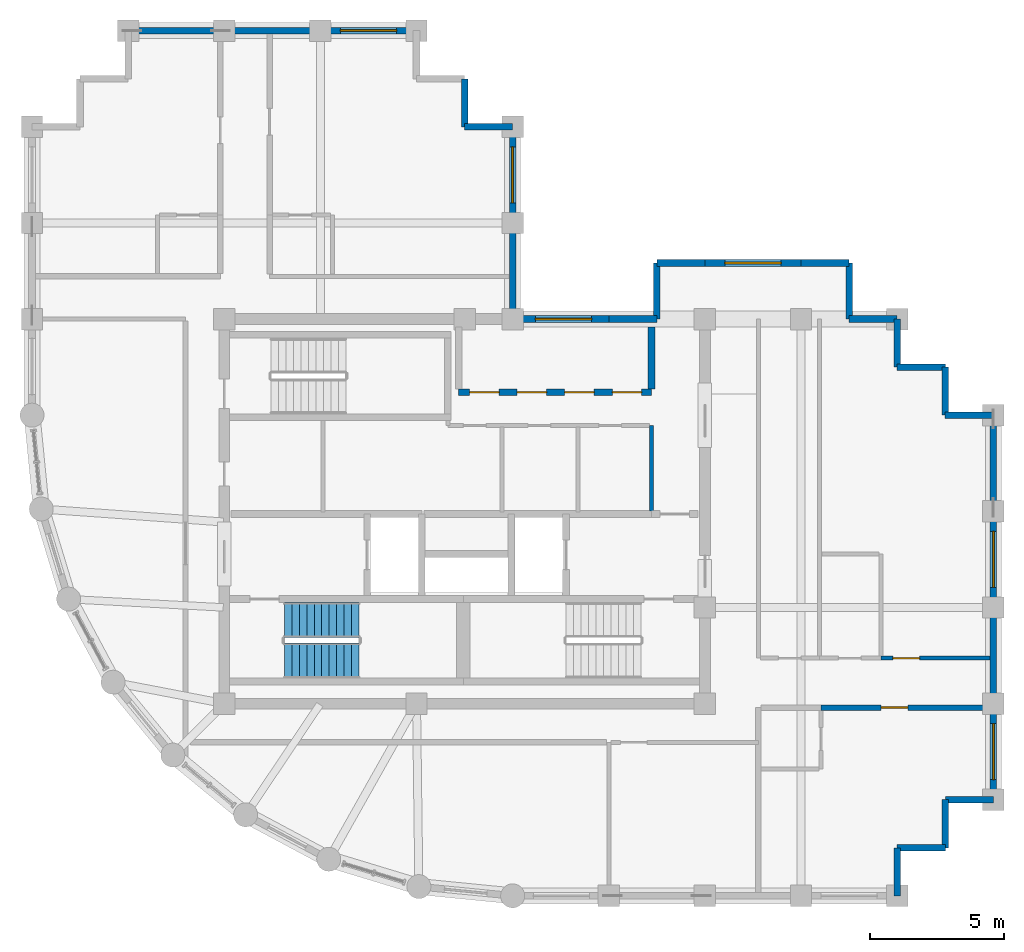
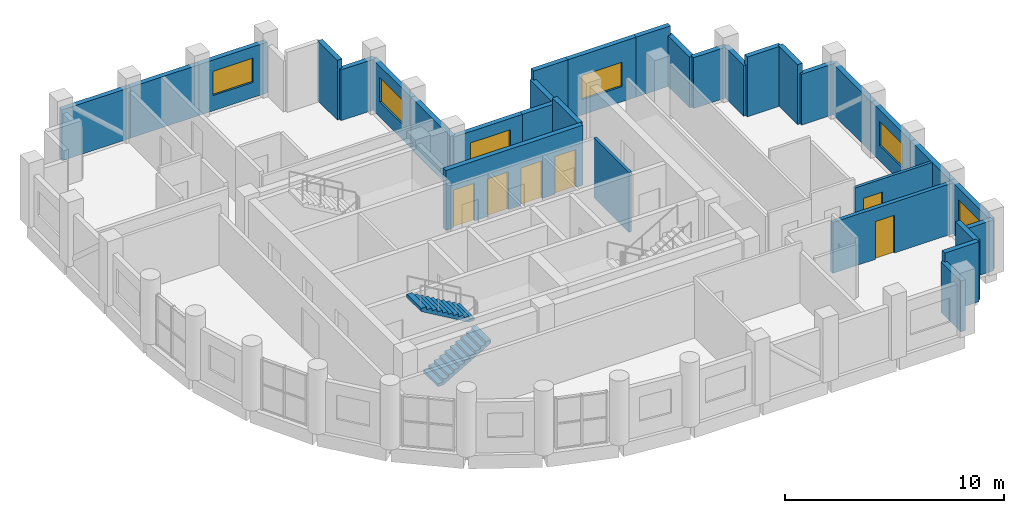
# One storey, part 9 of 11: 32 walls, 6 doors, 6 windows, 2 stair flights, 12 openings, 1 element without a shape of its own.
"""IFC4 building model written with IfcOpenShell, lengths in metres."""

from ifc_helpers import new_model, si_unit, direction, frame, frame_2d, origin, place, context, subcontext, project, spatial, polyline, rectangle, outline, extrude, material, layer, layer_set, type_object, element, fill, aggregate, save


model = new_model("IFC4")

# Units and contexts
model_context = context("Model", 3, precision=1e-05, world=origin(), true_north=direction((0.0, 1.0)))
body_context = subcontext(model_context, "Body", "Model", "MODEL_VIEW")
ifc_project = project(units=[si_unit("LENGTHUNIT", "METRE"), si_unit("AREAUNIT", "SQUARE_METRE"), si_unit("VOLUMEUNIT", "CUBIC_METRE"), si_unit("PLANEANGLEUNIT", "RADIAN"), si_unit("MASSUNIT", "GRAM", prefix="KILO")], contexts=[model_context])

# Site, building, storey
site_placement = place(None, origin())
site = spatial("IfcSite", under=ifc_project, at=site_placement, CompositionType="ELEMENT")
building_placement = place(site_placement, origin())
building = spatial("IfcBuilding", under=site, at=building_placement, Name="Solnavia Interchange Tower", CompositionType="ELEMENT")
storey_placement = place(building_placement, frame((0.0, 0.0, 284.60009765625)))
storey = spatial("IfcBuildingStorey", under=building, at=storey_placement, Name="L72", CompositionType="ELEMENT", Elevation=284.60009765625)

# Wall, opening, door
ifc_material_1 = material(Name="Gypsum Acoustic Twin-Stud & Mineral Wool", Category="gypsum")
ifc_layer_1 = layer(ifc_material_1, 0.199951171875)
ifc_layer_set_1 = layer_set([ifc_layer_1], Name="Gypsum Acoustic Twin-Stud & Mineral Wool")
wall_type_1 = type_object("IfcWallType", Name="Wall-ApartmentParty-200", PredefinedType="PARTITIONING", material=ifc_layer_set_1)
wall_1_placement = place(storey_placement, frame((36.75, 10.64990234375, 0.0), z_axis=(0.0, 0.0, 1.0), x_axis=(1.0, 0.0, 0.0)))
wall_1 = element("IfcWall", 1, at=wall_1_placement, inside=storey, type_object=wall_type_1, Name="PTW-L72-14 Interior partition wall", PredefinedType="PARTITIONING", context=body_context, shape_type="SweptSolid", body=[
    extrude(rectangle(XDim=6.321044921875, YDim=0.199951171875, at=frame_2d((3.16064453125, 0.0))), origin(), (0.0, 0.0, 1.0), 2.829833984375),
])
opening_1_placement = place(wall_1_placement, frame((2.251953125, 0.0, 0.0)))
opening_1 = element("IfcOpeningElement", 2, at=opening_1_placement, cuts=wall_1, Name="Opening DR-06", PredefinedType="OPENING", context=body_context, shape_type="SweptSolid", body=[
    extrude(rectangle(XDim=1.0, YDim=2.10009765625, at=frame_2d((0.5, 1.050048828125))), frame((0.0, 0.10986328125, 0.0), z_axis=(0.0, -1.0, 0.0), x_axis=(1.0, 0.0, 0.0)), (0.0, 0.0, 1.0), 0.219970703125),
])
ifc_material_2 = material(Name="Engineered Timber Acoustic Fire Door", Category="wood")
door_type_1 = type_object("IfcDoorType", Name="Door-FlatEntry-1000x2100", OperationType="SINGLE_SWING_LEFT", PredefinedType="DOOR", material=ifc_material_2)
door_1_placement = place(opening_1_placement, origin())
door_1 = element("IfcDoor", 3, at=door_1_placement, inside=storey, type_object=door_type_1, Name="DR-L72-05 Interior room door", OperationType="SINGLE_SWING_LEFT", OverallHeight=2.10009765625, OverallWidth=1.0, PredefinedType="DOOR", context=body_context, shape_type="SweptSolid", body=[
    extrude(rectangle(XDim=1.0, YDim=2.10009765625, at=frame_2d((0.5, 1.050048828125))), frame((0.0, 0.02490234375, 0.0), z_axis=(0.0, -1.0, 0.0), x_axis=(1.0, 0.0, 0.0)), (0.0, 0.0, 1.0), 0.050048828125),
])
fill(opening_1, door_1)

# Walls
ifc_material_3 = material(Name="Concrete C40/50", Category="concrete")
ifc_layer_2 = layer(ifc_material_3, 0.25)
ifc_layer_set_2 = layer_set([ifc_layer_2], Name="Concrete C40/50")
wall_type_2 = type_object("IfcWallType", Name="Wall-ExtSpandrel-250", PredefinedType="STANDARD", material=ifc_layer_set_2)
wall_2_placement = place(storey_placement, frame((39.60009765625, 5.39990234375, 0.0), z_axis=(0.0, 0.0, 1.0), x_axis=(0.0, -1.0, 0.0)))
element("IfcWall", 4, at=wall_2_placement, inside=storey, type_object=wall_type_2, Name="EXW-L72-05 Exterior precast spandrel wall", PredefinedType="STANDARD", context=body_context, shape_type="SweptSolid", body=[
    extrude(rectangle(XDim=1.7998046875, YDim=0.25, at=frame_2d((0.89990234375, 0.0))), origin(), (0.0, 0.0, 1.0), 2.829833984375),
])
wall_3_placement = place(storey_placement, frame((41.39990234375, 5.39990234375, 0.0), z_axis=(0.0, 0.0, 1.0), x_axis=(-1.0, 0.0, 0.0)))
element("IfcWall", 5, at=wall_3_placement, inside=storey, type_object=wall_type_2, Name="EXW-L72-06 Exterior precast spandrel wall", PredefinedType="STANDARD", context=body_context, shape_type="SweptSolid", body=[
    extrude(rectangle(XDim=1.7998046875, YDim=0.25, at=frame_2d((0.89990234375, 0.0))), origin(), (0.0, 0.0, 1.0), 3.3349609375),
])
wall_4_placement = place(storey_placement, frame((41.39990234375, 7.199951171875, 0.0), z_axis=(0.0, 0.0, 1.0), x_axis=(0.0, -1.0, 0.0)))
element("IfcWall", 6, at=wall_4_placement, inside=storey, type_object=wall_type_2, Name="EXW-L72-07 Exterior precast spandrel wall", PredefinedType="STANDARD", context=body_context, shape_type="SweptSolid", body=[
    extrude(rectangle(XDim=1.800048828125, YDim=0.25, at=frame_2d((0.89990234375, 0.0))), origin(), (0.0, 0.0, 1.0), 3.3349609375),
])
wall_5_placement = place(storey_placement, frame((43.199951171875, 7.199951171875, 0.0), z_axis=(0.0, 0.0, 1.0), x_axis=(-1.0, 0.0, 0.0)))
element("IfcWall", 7, at=wall_5_placement, inside=storey, type_object=wall_type_2, Name="EXW-L72-08 Exterior precast spandrel wall", PredefinedType="STANDARD", context=body_context, shape_type="SweptSolid", body=[
    extrude(rectangle(XDim=1.800048828125, YDim=0.25, at=frame_2d((0.89990234375, 0.0))), origin(), (0.0, 0.0, 1.0), 2.829833984375),
])

# Wall, opening, window
wall_6_placement = place(storey_placement, frame((43.199951171875, 10.800048828125, 0.0), z_axis=(0.0, 0.0, 1.0), x_axis=(0.0, -1.0, 0.0)))
wall_6 = element("IfcWall", 8, at=wall_6_placement, inside=storey, type_object=wall_type_2, Name="EXW-L72-09 Exterior precast spandrel wall", PredefinedType="STANDARD", context=body_context, shape_type="SweptSolid", body=[
    extrude(rectangle(XDim=3.60009765625, YDim=0.25, at=frame_2d((1.800048828125, 0.0))), origin(), (0.0, 0.0, 1.0), 2.829833984375),
])
opening_2_placement = place(wall_6_placement, frame((0.75, 0.0, 0.85009765625)))
opening_2 = element("IfcOpeningElement", 9, at=opening_2_placement, cuts=wall_6, Name="Opening WIN-01", PredefinedType="OPENING", context=body_context, shape_type="SweptSolid", body=[
    extrude(rectangle(XDim=2.10009765625, YDim=1.35009765625, at=frame_2d((1.050048828125, 0.675048828125))), frame((0.0, 0.135009765625, 0.0), z_axis=(0.0, -1.0, 0.0), x_axis=(1.0, 0.0, 0.0)), (0.0, 0.0, 1.0), 0.27001953125),
])
ifc_material_4 = material(Name="Thermal-Break Aluminium & Low-E Glass", Category="aluminium")
window_type = type_object("IfcWindowType", Name="Window-Ribbon-2100x1350", PartitioningType="SINGLE_PANEL", PredefinedType="WINDOW", material=ifc_material_4)
window_1_placement = place(opening_2_placement, origin())
window_1 = element("IfcWindow", 10, at=window_1_placement, inside=storey, type_object=window_type, Name="WIN-L72-09 Facade ribbon window", OverallHeight=1.35009765625, OverallWidth=2.10009765625, PartitioningType="SINGLE_PANEL", PredefinedType="WINDOW", context=body_context, shape_type="SweptSolid", body=[
    extrude(rectangle(XDim=2.10009765625, YDim=1.35009765625, at=frame_2d((1.050048828125, 0.675048828125))), frame((0.0, 0.030029296875, 0.0), z_axis=(0.0, -1.0, 0.0), x_axis=(1.0, 0.0, 0.0)), (0.0, 0.0, 1.0), 0.06005859375),
])
fill(opening_2, window_1)

# Wall
wall_7_placement = place(storey_placement, frame((43.199951171875, 14.39990234375, 0.0), z_axis=(0.0, 0.0, 1.0), x_axis=(0.0, -1.0, 0.0)))
element("IfcWall", 11, at=wall_7_placement, inside=storey, type_object=wall_type_2, Name="EXW-L72-10 Exterior precast spandrel wall", PredefinedType="STANDARD", context=body_context, shape_type="SweptSolid", body=[
    extrude(rectangle(XDim=3.599853515625, YDim=0.25, at=frame_2d((1.7998046875, 0.0))), origin(), (0.0, 0.0, 1.0), 2.829833984375),
])

# Wall, opening, window
wall_8_placement = place(storey_placement, frame((43.199951171875, 18.0, 0.0), z_axis=(0.0, 0.0, 1.0), x_axis=(0.0, -1.0, 0.0)))
wall_8 = element("IfcWall", 12, at=wall_8_placement, inside=storey, type_object=wall_type_2, Name="EXW-L72-11 Exterior precast spandrel wall", PredefinedType="STANDARD", context=body_context, shape_type="SweptSolid", body=[
    extrude(rectangle(XDim=3.60009765625, YDim=0.25, at=frame_2d((1.800048828125, 0.0))), origin(), (0.0, 0.0, 1.0), 2.829833984375),
])
opening_3_placement = place(wall_8_placement, frame((0.75, 0.0, 0.85009765625)))
opening_3 = element("IfcOpeningElement", 13, at=opening_3_placement, cuts=wall_8, Name="Opening WIN-01", PredefinedType="OPENING", context=body_context, shape_type="SweptSolid", body=[
    extrude(rectangle(XDim=2.10009765625, YDim=1.35009765625, at=frame_2d((1.050048828125, 0.675048828125))), frame((0.0, 0.135009765625, 0.0), z_axis=(0.0, -1.0, 0.0), x_axis=(1.0, 0.0, 0.0)), (0.0, 0.0, 1.0), 0.27001953125),
])
window_2_placement = place(opening_3_placement, origin())
window_2 = element("IfcWindow", 14, at=window_2_placement, inside=storey, type_object=window_type, Name="WIN-L72-11 Facade ribbon window", OverallHeight=1.35009765625, OverallWidth=2.10009765625, PartitioningType="SINGLE_PANEL", PredefinedType="WINDOW", context=body_context, shape_type="SweptSolid", body=[
    extrude(rectangle(XDim=2.10009765625, YDim=1.35009765625, at=frame_2d((1.050048828125, 0.675048828125))), frame((0.0, 0.030029296875, 0.0), z_axis=(0.0, -1.0, 0.0), x_axis=(1.0, 0.0, 0.0)), (0.0, 0.0, 1.0), 0.06005859375),
])
fill(opening_3, window_2)

# Walls
wall_9_placement = place(storey_placement, frame((43.199951171875, 21.60009765625, 0.0), z_axis=(0.0, 0.0, 1.0), x_axis=(0.0, -1.0, 0.0)))
element("IfcWall", 15, at=wall_9_placement, inside=storey, type_object=wall_type_2, Name="EXW-L72-12 Exterior precast spandrel wall", PredefinedType="STANDARD", context=body_context, shape_type="SweptSolid", body=[
    extrude(rectangle(XDim=3.60009765625, YDim=0.25, at=frame_2d((1.800048828125, 0.0))), origin(), (0.0, 0.0, 1.0), 2.829833984375),
])
wall_10_placement = place(storey_placement, frame((41.39990234375, 21.60009765625, 0.0), z_axis=(0.0, 0.0, 1.0), x_axis=(1.0, 0.0, 0.0)))
element("IfcWall", 16, at=wall_10_placement, inside=storey, type_object=wall_type_2, Name="EXW-L72-13 Exterior precast spandrel wall", PredefinedType="STANDARD", context=body_context, shape_type="SweptSolid", body=[
    extrude(rectangle(XDim=1.800048828125, YDim=0.25, at=frame_2d((0.89990234375, 0.0))), origin(), (0.0, 0.0, 1.0), 2.829833984375),
])
for number, where, z_axis, x_axis, name in (
    (17, (41.39990234375, 23.39990234375, 0.0), (0.0, 0.0, 1.0), (0.0, -1.0, 0.0), "EXW-L72-14 Exterior precast spandrel wall"),
    (18, (39.60009765625, 23.39990234375, 0.0), (0.0, 0.0, 1.0), (1.0, 0.0, 0.0), "EXW-L72-15 Exterior precast spandrel wall"),
):
    element("IfcWall", number, at=place(storey_placement, frame(where, z_axis=z_axis, x_axis=x_axis)), inside=storey, type_object=wall_type_2, Name=name, PredefinedType="STANDARD", context=body_context, shape_type="SweptSolid", body=[
        extrude(rectangle(XDim=1.7998046875, YDim=0.25, at=frame_2d((0.89990234375, 0.0))), origin(), (0.0, 0.0, 1.0), 3.3349609375),
    ])
for number, where, z_axis, x_axis, name in (
    (19, (39.60009765625, 25.199951171875, 0.0), (0.0, 0.0, 1.0), (0.0, -1.0, 0.0), "EXW-L72-16 Exterior precast spandrel wall"),
    (20, (37.800048828125, 25.199951171875, 0.0), (0.0, 0.0, 1.0), (1.0, 0.0, 0.0), "EXW-L72-17 Exterior precast spandrel wall"),
):
    element("IfcWall", number, at=place(storey_placement, frame(where, z_axis=z_axis, x_axis=x_axis)), inside=storey, type_object=wall_type_2, Name=name, PredefinedType="STANDARD", context=body_context, shape_type="SweptSolid", body=[
        extrude(rectangle(XDim=1.800048828125, YDim=0.25, at=frame_2d((0.89990234375, 0.0))), origin(), (0.0, 0.0, 1.0), 2.829833984375),
    ])
wall_11_placement = place(storey_placement, frame((37.800048828125, 27.300048828125, 0.0), z_axis=(0.0, 0.0, 1.0), x_axis=(0.0, -1.0, 0.0)))
element("IfcWall", 21, at=wall_11_placement, inside=storey, type_object=wall_type_2, Name="EXW-L72-18 Exterior precast spandrel wall", PredefinedType="STANDARD", context=body_context, shape_type="SweptSolid", body=[
    extrude(rectangle(XDim=2.10009765625, YDim=0.25, at=frame_2d((1.050048828125, 0.0))), origin(), (0.0, 0.0, 1.0), 2.829833984375),
])
wall_12_placement = place(storey_placement, frame((36.0, 27.300048828125, 0.0), z_axis=(0.0, 0.0, 1.0), x_axis=(1.0, 0.0, 0.0)))
element("IfcWall", 22, at=wall_12_placement, inside=storey, type_object=wall_type_2, Name="EXW-L72-19 Exterior precast spandrel wall", PredefinedType="STANDARD", context=body_context, shape_type="SweptSolid", body=[
    extrude(rectangle(XDim=1.800048828125, YDim=0.25, at=frame_2d((0.89990234375, 0.0))), origin(), (0.0, 0.0, 1.0), 3.3349609375),
])

# Wall, opening, window
wall_13_placement = place(storey_placement, frame((32.39990234375, 27.300048828125, 0.0), z_axis=(0.0, 0.0, 1.0), x_axis=(1.0, 0.0, 0.0)))
wall_13 = element("IfcWall", 23, at=wall_13_placement, inside=storey, type_object=wall_type_2, Name="EXW-L72-20 Exterior precast spandrel wall", PredefinedType="STANDARD", context=body_context, shape_type="SweptSolid", body=[
    extrude(rectangle(XDim=3.60009765625, YDim=0.25, at=frame_2d((1.800048828125, 0.0))), origin(), (0.0, 0.0, 1.0), 3.3349609375),
])
opening_4_placement = place(wall_13_placement, frame((0.75, 0.0, 0.85009765625)))
opening_4 = element("IfcOpeningElement", 24, at=opening_4_placement, cuts=wall_13, Name="Opening WIN-01", PredefinedType="OPENING", context=body_context, shape_type="SweptSolid", body=[
    extrude(rectangle(XDim=2.10009765625, YDim=1.35009765625, at=frame_2d((1.050048828125, 0.675048828125))), frame((0.0, 0.135009765625, 0.0), z_axis=(0.0, -1.0, 0.0), x_axis=(1.0, 0.0, 0.0)), (0.0, 0.0, 1.0), 0.27001953125),
])
window_3_placement = place(opening_4_placement, origin())
window_3 = element("IfcWindow", 25, at=window_3_placement, inside=storey, type_object=window_type, Name="WIN-L72-20 Facade ribbon window", OverallHeight=1.35009765625, OverallWidth=2.10009765625, PartitioningType="SINGLE_PANEL", PredefinedType="WINDOW", context=body_context, shape_type="SweptSolid", body=[
    extrude(rectangle(XDim=2.10009765625, YDim=1.35009765625, at=frame_2d((1.050048828125, 0.675048828125))), frame((0.0, 0.030029296875, 0.0), z_axis=(0.0, -1.0, 0.0), x_axis=(1.0, 0.0, 0.0)), (0.0, 0.0, 1.0), 0.06005859375),
])
fill(opening_4, window_3)

# Walls
wall_14_placement = place(storey_placement, frame((30.60009765625, 27.300048828125, 0.0), z_axis=(0.0, 0.0, 1.0), x_axis=(1.0, 0.0, 0.0)))
element("IfcWall", 26, at=wall_14_placement, inside=storey, type_object=wall_type_2, Name="EXW-L72-21 Exterior precast spandrel wall", PredefinedType="STANDARD", context=body_context, shape_type="SweptSolid", body=[
    extrude(rectangle(XDim=1.7998046875, YDim=0.25, at=frame_2d((0.89990234375, 0.0))), origin(), (0.0, 0.0, 1.0), 3.3349609375),
])
wall_15_placement = place(storey_placement, frame((30.60009765625, 27.300048828125, 0.0), z_axis=(0.0, 0.0, 1.0), x_axis=(0.0, -1.0, 0.0)))
element("IfcWall", 27, at=wall_15_placement, inside=storey, type_object=wall_type_2, Name="EXW-L72-22 Exterior precast spandrel wall", PredefinedType="STANDARD", context=body_context, shape_type="SweptSolid", body=[
    extrude(rectangle(XDim=2.10009765625, YDim=0.25, at=frame_2d((1.050048828125, 0.0))), origin(), (0.0, 0.0, 1.0), 2.829833984375),
])
wall_16_placement = place(storey_placement, frame((28.800048828125, 25.199951171875, 0.0), z_axis=(0.0, 0.0, 1.0), x_axis=(1.0, 0.0, 0.0)))
element("IfcWall", 28, at=wall_16_placement, inside=storey, type_object=wall_type_2, Name="EXW-L72-23 Exterior precast spandrel wall", PredefinedType="STANDARD", context=body_context, shape_type="SweptSolid", body=[
    extrude(rectangle(XDim=1.800048828125, YDim=0.25, at=frame_2d((0.89990234375, 0.0))), origin(), (0.0, 0.0, 1.0), 2.829833984375),
])

# Wall, opening, window
wall_17_placement = place(storey_placement, frame((25.199951171875, 25.199951171875, 0.0), z_axis=(0.0, 0.0, 1.0), x_axis=(1.0, 0.0, 0.0)))
wall_17 = element("IfcWall", 29, at=wall_17_placement, inside=storey, type_object=wall_type_2, Name="EXW-L72-24 Exterior precast spandrel wall", PredefinedType="STANDARD", context=body_context, shape_type="SweptSolid", body=[
    extrude(rectangle(XDim=3.60009765625, YDim=0.25, at=frame_2d((1.800048828125, 0.0))), origin(), (0.0, 0.0, 1.0), 2.829833984375),
])
opening_5_placement = place(wall_17_placement, frame((0.85498046875, 0.0, 0.85009765625)))
opening_5 = element("IfcOpeningElement", 30, at=opening_5_placement, cuts=wall_17, Name="Opening WIN-01", PredefinedType="OPENING", context=body_context, shape_type="SweptSolid", body=[
    extrude(rectangle(XDim=2.10009765625, YDim=1.35009765625, at=frame_2d((1.050048828125, 0.675048828125))), frame((0.0, 0.135009765625, 0.0), z_axis=(0.0, -1.0, 0.0), x_axis=(1.0, 0.0, 0.0)), (0.0, 0.0, 1.0), 0.27001953125),
])
window_4_placement = place(opening_5_placement, origin())
window_4 = element("IfcWindow", 31, at=window_4_placement, inside=storey, type_object=window_type, Name="WIN-L72-24 Facade ribbon window", OverallHeight=1.35009765625, OverallWidth=2.10009765625, PartitioningType="SINGLE_PANEL", PredefinedType="WINDOW", context=body_context, shape_type="SweptSolid", body=[
    extrude(rectangle(XDim=2.10009765625, YDim=1.35009765625, at=frame_2d((1.050048828125, 0.675048828125))), frame((0.0, 0.030029296875, 0.0), z_axis=(0.0, -1.0, 0.0), x_axis=(1.0, 0.0, 0.0)), (0.0, 0.0, 1.0), 0.06005859375),
])
fill(opening_5, window_4)

# Wall
wall_18_placement = place(storey_placement, frame((25.199951171875, 28.800048828125, 0.0), z_axis=(0.0, 0.0, 1.0), x_axis=(0.0, -1.0, 0.0)))
element("IfcWall", 32, at=wall_18_placement, inside=storey, type_object=wall_type_2, Name="EXW-L72-25 Exterior precast spandrel wall", PredefinedType="STANDARD", context=body_context, shape_type="SweptSolid", body=[
    extrude(rectangle(XDim=3.60009765625, YDim=0.25, at=frame_2d((1.800048828125, 0.0))), origin(), (0.0, 0.0, 1.0), 2.829833984375),
])

# Wall, opening, window
wall_19_placement = place(storey_placement, frame((25.199951171875, 32.39990234375, 0.0), z_axis=(0.0, 0.0, 1.0), x_axis=(0.0, -1.0, 0.0)))
wall_19 = element("IfcWall", 33, at=wall_19_placement, inside=storey, type_object=wall_type_2, Name="EXW-L72-26 Exterior precast spandrel wall", PredefinedType="STANDARD", context=body_context, shape_type="SweptSolid", body=[
    extrude(rectangle(XDim=3.599853515625, YDim=0.25, at=frame_2d((1.7998046875, 0.0))), origin(), (0.0, 0.0, 1.0), 2.829833984375),
])
opening_6_placement = place(wall_19_placement, frame((0.75, 0.0, 0.85009765625)))
opening_6 = element("IfcOpeningElement", 34, at=opening_6_placement, cuts=wall_19, Name="Opening WIN-01", PredefinedType="OPENING", context=body_context, shape_type="SweptSolid", body=[
    extrude(rectangle(XDim=2.10009765625, YDim=1.35009765625, at=frame_2d((1.050048828125, 0.675048828125))), frame((0.0, 0.135009765625, 0.0), z_axis=(0.0, -1.0, 0.0), x_axis=(1.0, 0.0, 0.0)), (0.0, 0.0, 1.0), 0.27001953125),
])
window_5_placement = place(opening_6_placement, origin())
window_5 = element("IfcWindow", 35, at=window_5_placement, inside=storey, type_object=window_type, Name="WIN-L72-26 Facade ribbon window", OverallHeight=1.35009765625, OverallWidth=2.10009765625, PartitioningType="SINGLE_PANEL", PredefinedType="WINDOW", context=body_context, shape_type="SweptSolid", body=[
    extrude(rectangle(XDim=2.10009765625, YDim=1.35009765625, at=frame_2d((1.050048828125, 0.675048828125))), frame((0.0, 0.030029296875, 0.0), z_axis=(0.0, -1.0, 0.0), x_axis=(1.0, 0.0, 0.0)), (0.0, 0.0, 1.0), 0.06005859375),
])
fill(opening_6, window_5)

# Walls
wall_20_placement = place(storey_placement, frame((23.39990234375, 32.39990234375, 0.0), z_axis=(0.0, 0.0, 1.0), x_axis=(1.0, 0.0, 0.0)))
element("IfcWall", 36, at=wall_20_placement, inside=storey, type_object=wall_type_2, Name="EXW-L72-27 Exterior precast spandrel wall", PredefinedType="STANDARD", context=body_context, shape_type="SweptSolid", body=[
    extrude(rectangle(XDim=1.800048828125, YDim=0.25, at=frame_2d((0.89990234375, 0.0))), origin(), (0.0, 0.0, 1.0), 2.829833984375),
])
wall_21_placement = place(storey_placement, frame((23.39990234375, 32.39990234375, 0.0), z_axis=(0.0, 0.0, 1.0), x_axis=(0.0, 1.0, 0.0)))
element("IfcWall", 37, at=wall_21_placement, inside=storey, type_object=wall_type_2, Name="EXW-L72-28 Exterior precast spandrel wall", PredefinedType="STANDARD", context=body_context, shape_type="SweptSolid", body=[
    extrude(rectangle(XDim=1.800048828125, YDim=0.25, at=frame_2d((0.89990234375, 0.0))), origin(), (0.0, 0.0, 1.0), 3.3349609375),
])

# Wall, opening, window
wall_22_placement = place(storey_placement, frame((18.0, 36.0, 0.0), z_axis=(0.0, 0.0, 1.0), x_axis=(1.0, 0.0, 0.0)))
wall_22 = element("IfcWall", 38, at=wall_22_placement, inside=storey, type_object=wall_type_2, Name="EXW-L72-31 Exterior precast spandrel wall", PredefinedType="STANDARD", context=body_context, shape_type="SweptSolid", body=[
    extrude(rectangle(XDim=3.60009765625, YDim=0.25, at=frame_2d((1.800048828125, 0.0))), origin(), (0.0, 0.0, 1.0), 2.829833984375),
])
opening_7_placement = place(wall_22_placement, frame((0.75, 0.0, 0.85009765625)))
opening_7 = element("IfcOpeningElement", 39, at=opening_7_placement, cuts=wall_22, Name="Opening WIN-01", PredefinedType="OPENING", context=body_context, shape_type="SweptSolid", body=[
    extrude(rectangle(XDim=2.10009765625, YDim=1.35009765625, at=frame_2d((1.050048828125, 0.675048828125))), frame((0.0, 0.135009765625, 0.0), z_axis=(0.0, -1.0, 0.0), x_axis=(1.0, 0.0, 0.0)), (0.0, 0.0, 1.0), 0.27001953125),
])
window_6_placement = place(opening_7_placement, origin())
window_6 = element("IfcWindow", 40, at=window_6_placement, inside=storey, type_object=window_type, Name="WIN-L72-31 Facade ribbon window", OverallHeight=1.35009765625, OverallWidth=2.10009765625, PartitioningType="SINGLE_PANEL", PredefinedType="WINDOW", context=body_context, shape_type="SweptSolid", body=[
    extrude(rectangle(XDim=2.10009765625, YDim=1.35009765625, at=frame_2d((1.050048828125, 0.675048828125))), frame((0.0, 0.030029296875, 0.0), z_axis=(0.0, -1.0, 0.0), x_axis=(1.0, 0.0, 0.0)), (0.0, 0.0, 1.0), 0.06005859375),
])
fill(opening_7, window_6)

# Walls
wall_23_placement = place(storey_placement, frame((14.39990234375, 36.0, 0.0), z_axis=(0.0, 0.0, 1.0), x_axis=(1.0, 0.0, 0.0)))
element("IfcWall", 41, at=wall_23_placement, inside=storey, type_object=wall_type_2, Name="EXW-L72-32 Exterior precast spandrel wall", PredefinedType="STANDARD", context=body_context, shape_type="SweptSolid", body=[
    extrude(rectangle(XDim=3.60009765625, YDim=0.25, at=frame_2d((1.800048828125, 0.0))), origin(), (0.0, 0.0, 1.0), 2.829833984375),
])
wall_24_placement = place(storey_placement, frame((10.800048828125, 36.0, 0.0), z_axis=(0.0, 0.0, 1.0), x_axis=(1.0, 0.0, 0.0)))
element("IfcWall", 42, at=wall_24_placement, inside=storey, type_object=wall_type_2, Name="EXW-L72-33 Exterior precast spandrel wall", PredefinedType="STANDARD", context=body_context, shape_type="SweptSolid", body=[
    extrude(rectangle(XDim=3.599853515625, YDim=0.25, at=frame_2d((1.7998046875, 0.0))), origin(), (0.0, 0.0, 1.0), 2.829833984375),
])
ifc_material_5 = material(Name="Gypsum Plasterboard & Steel Stud", Category="steel")
ifc_layer_3 = layer(ifc_material_5, 0.14990234375)
ifc_layer_set_3 = layer_set([ifc_layer_3], Name="Gypsum Plasterboard & Steel Stud")
wall_type_3 = type_object("IfcWallType", Name="Wall-Partition-150", PredefinedType="PARTITIONING", material=ifc_layer_set_3)
wall_25_placement = place(storey_placement, frame((30.39990234375, 18.02001953125, 0.0), z_axis=(0.0, 0.0, 1.0), x_axis=(0.0, 1.0, 0.0)))
element("IfcWall", 43, at=wall_25_placement, inside=storey, type_object=wall_type_3, Name="CSW-L72-E-E Core shaft wall", PredefinedType="PARTITIONING", context=body_context, shape_type="SweptSolid", body=[
    extrude(rectangle(XDim=3.199951171875, YDim=0.14990234375, at=frame_2d((1.60009765625, 0.0))), origin(), (0.0, 0.0, 1.0), 3.3349609375),
])

# Wall, opening, door
wall_26_placement = place(storey_placement, frame((39.0, 12.5, 0.0), z_axis=(0.0, 0.0, 1.0), x_axis=(1.0, 0.0, 0.0)))
wall_26 = element("IfcWall", 44, at=wall_26_placement, inside=storey, type_object=wall_type_3, Name="PTW-L72-17 Interior partition wall", PredefinedType="PARTITIONING", context=body_context, shape_type="SweptSolid", body=[
    extrude(rectangle(XDim=4.071044921875, YDim=0.14990234375, at=frame_2d((2.03564453125, 0.0))), origin(), (0.0, 0.0, 1.0), 2.829833984375),
])
opening_8_placement = place(wall_26_placement, frame((0.43798828125, 0.0, 0.0)))
opening_8 = element("IfcOpeningElement", 45, at=opening_8_placement, cuts=wall_26, Name="Opening DR-07", PredefinedType="OPENING", context=body_context, shape_type="SweptSolid", body=[
    extrude(rectangle(XDim=1.0, YDim=2.10009765625, at=frame_2d((0.5, 1.050048828125))), frame((0.0, 0.0849609375, 0.0), z_axis=(0.0, -1.0, 0.0), x_axis=(1.0, 0.0, 0.0)), (0.0, 0.0, 1.0), 0.169921875),
])
ifc_material_6 = material(Name="Timber & Acoustic Glazed Office Door", Category="wood")
door_type_2 = type_object("IfcDoorType", Name="Door-Office-1000x2100", OperationType="SINGLE_SWING_RIGHT", PredefinedType="DOOR", material=ifc_material_6)
door_2_placement = place(opening_8_placement, origin())
door_2 = element("IfcDoor", 46, at=door_2_placement, inside=storey, type_object=door_type_2, Name="DR-L72-07 Interior room door", OperationType="SINGLE_SWING_RIGHT", OverallHeight=2.10009765625, OverallWidth=1.0, PredefinedType="DOOR", context=body_context, shape_type="SweptSolid", body=[
    extrude(rectangle(XDim=1.0, YDim=2.10009765625, at=frame_2d((0.5, 1.050048828125))), frame((0.0, 0.02490234375, 0.0), z_axis=(0.0, -1.0, 0.0), x_axis=(1.0, 0.0, 0.0)), (0.0, 0.0, 1.0), 0.050048828125),
])
fill(opening_8, door_2)

# Wall, openings, doors
ifc_layer_4 = layer(ifc_material_3, 0.25)
ifc_layer_set_4 = layer_set([ifc_layer_4], Name="Concrete C40/50")
wall_type_4 = type_object("IfcWallType", Name="Wall-ShaftPart-250", PredefinedType="PARTITIONING", material=ifc_layer_set_4)
wall_27_placement = place(storey_placement, frame((23.179931640625, 22.4599609375, 0.0), z_axis=(0.0, 0.0, 1.0), x_axis=(1.0, 0.0, 0.0)))
wall_27 = element("IfcWall", 47, at=wall_27_placement, inside=storey, type_object=wall_type_4, Name="SHW-L72-B3S Core shaft wall", PredefinedType="PARTITIONING", context=body_context, shape_type="SweptSolid", body=[
    extrude(rectangle(XDim=7.219970703125, YDim=0.25, at=frame_2d((3.60986328125, 0.0))), origin(), (0.0, 0.0, 1.0), 3.3349609375),
])
opening_9_placement = place(wall_27_placement, frame((0.409912109375, 0.0, 0.0)))
opening_9 = element("IfcOpeningElement", 48, at=opening_9_placement, cuts=wall_27, Name="Opening LD-01", PredefinedType="OPENING", context=body_context, shape_type="SweptSolid", body=[
    extrude(rectangle(XDim=1.10009765625, YDim=2.10009765625, at=frame_2d((0.550048828125, 1.050048828125))), frame((0.0, 0.135009765625, 0.0), z_axis=(0.0, -1.0, 0.0), x_axis=(1.0, 0.0, 0.0)), (0.0, 0.0, 1.0), 0.27001953125),
])
opening_10_placement = place(wall_27_placement, frame((2.18994140625, 0.0, 0.0)))
opening_10 = element("IfcOpeningElement", 49, at=opening_10_placement, cuts=wall_27, Name="Opening LD-01", PredefinedType="OPENING", context=body_context, shape_type="SweptSolid", body=[
    extrude(rectangle(XDim=1.10009765625, YDim=2.10009765625, at=frame_2d((0.550048828125, 1.050048828125))), frame((0.0, 0.135009765625, 0.0), z_axis=(0.0, -1.0, 0.0), x_axis=(1.0, 0.0, 0.0)), (0.0, 0.0, 1.0), 0.27001953125),
])
opening_11_placement = place(wall_27_placement, frame((3.969970703125, 0.0, 0.0)))
opening_11 = element("IfcOpeningElement", 50, at=opening_11_placement, cuts=wall_27, Name="Opening LD-01", PredefinedType="OPENING", context=body_context, shape_type="SweptSolid", body=[
    extrude(rectangle(XDim=1.10009765625, YDim=2.10009765625, at=frame_2d((0.550048828125, 1.050048828125))), frame((0.0, 0.135009765625, 0.0), z_axis=(0.0, -1.0, 0.0), x_axis=(1.0, 0.0, 0.0)), (0.0, 0.0, 1.0), 0.27001953125),
])
opening_12_placement = place(wall_27_placement, frame((5.75, 0.0, 0.0)))
opening_12 = element("IfcOpeningElement", 51, at=opening_12_placement, cuts=wall_27, Name="Opening LD-01", PredefinedType="OPENING", context=body_context, shape_type="SweptSolid", body=[
    extrude(rectangle(XDim=1.10009765625, YDim=2.10009765625, at=frame_2d((0.550048828125, 1.050048828125))), frame((0.0, 0.135009765625, 0.0), z_axis=(0.0, -1.0, 0.0), x_axis=(1.0, 0.0, 0.0)), (0.0, 0.0, 1.0), 0.27001953125),
])
ifc_material_7 = material(Name="Brushed Stainless Steel Sliding Door", Category="steel")
door_type_3 = type_object("IfcDoorType", Name="Door-LiftLanding-1100x2100", OperationType="SLIDING_TO_LEFT", PredefinedType="DOOR", material=ifc_material_7)
door_3_placement = place(opening_9_placement, origin())
door_3 = element("IfcDoor", 52, at=door_3_placement, inside=storey, type_object=door_type_3, Name="LD-L72-B3-1 Lift landing sliding door", OperationType="SLIDING_TO_LEFT", OverallHeight=2.10009765625, OverallWidth=1.10009765625, PredefinedType="DOOR", context=body_context, shape_type="SweptSolid", body=[
    extrude(rectangle(XDim=1.10009765625, YDim=2.10009765625, at=frame_2d((0.550048828125, 1.050048828125))), frame((0.0, 0.02490234375, 0.0), z_axis=(0.0, -1.0, 0.0), x_axis=(1.0, 0.0, 0.0)), (0.0, 0.0, 1.0), 0.050048828125),
])
fill(opening_9, door_3)
door_4_placement = place(opening_10_placement, origin())
door_4 = element("IfcDoor", 53, at=door_4_placement, inside=storey, type_object=door_type_3, Name="LD-L72-B3-2 Lift landing sliding door", OperationType="SLIDING_TO_LEFT", OverallHeight=2.10009765625, OverallWidth=1.10009765625, PredefinedType="DOOR", context=body_context, shape_type="SweptSolid", body=[
    extrude(rectangle(XDim=1.10009765625, YDim=2.10009765625, at=frame_2d((0.550048828125, 1.050048828125))), frame((0.0, 0.02490234375, 0.0), z_axis=(0.0, -1.0, 0.0), x_axis=(1.0, 0.0, 0.0)), (0.0, 0.0, 1.0), 0.050048828125),
])
fill(opening_10, door_4)
door_5_placement = place(opening_11_placement, origin())
door_5 = element("IfcDoor", 54, at=door_5_placement, inside=storey, type_object=door_type_3, Name="LD-L72-B3-3 Lift landing sliding door", OperationType="SLIDING_TO_LEFT", OverallHeight=2.10009765625, OverallWidth=1.10009765625, PredefinedType="DOOR", context=body_context, shape_type="SweptSolid", body=[
    extrude(rectangle(XDim=1.10009765625, YDim=2.10009765625, at=frame_2d((0.550048828125, 1.050048828125))), frame((0.0, 0.02490234375, 0.0), z_axis=(0.0, -1.0, 0.0), x_axis=(1.0, 0.0, 0.0)), (0.0, 0.0, 1.0), 0.050048828125),
])
fill(opening_11, door_5)
door_6_placement = place(opening_12_placement, origin())
door_6 = element("IfcDoor", 55, at=door_6_placement, inside=storey, type_object=door_type_3, Name="LD-L72-B3-4 Lift landing sliding door", OperationType="SLIDING_TO_LEFT", OverallHeight=2.10009765625, OverallWidth=1.10009765625, PredefinedType="DOOR", context=body_context, shape_type="SweptSolid", body=[
    extrude(rectangle(XDim=1.10009765625, YDim=2.10009765625, at=frame_2d((0.550048828125, 1.050048828125))), frame((0.0, 0.02490234375, 0.0), z_axis=(0.0, -1.0, 0.0), x_axis=(1.0, 0.0, 0.0)), (0.0, 0.0, 1.0), 0.050048828125),
])
fill(opening_12, door_6)

# Wall
wall_28_placement = place(storey_placement, frame((30.39990234375, 22.5849609375, 0.0), z_axis=(0.0, 0.0, 1.0), x_axis=(0.0, 1.0, 0.0)))
element("IfcWall", 56, at=wall_28_placement, inside=storey, type_object=wall_type_4, Name="SHW-L72-B3E Core shaft wall", PredefinedType="PARTITIONING", context=body_context, shape_type="SweptSolid", body=[
    extrude(rectangle(XDim=2.31494140625, YDim=0.25, at=frame_2d((1.157470703125, 0.0))), origin(), (0.0, 0.0, 1.0), 3.3349609375),
])

# Stair, stair flights
stair_type = type_object("IfcStairType", Name="Stair-Dogleg-RC", PredefinedType="HALF_TURN_STAIR", material=ifc_material_3)
stair_placement = place(storey_placement, origin())
stair = element("IfcStair", 57, at=stair_placement, inside=storey, type_object=stair_type, Name="L72 Core exit stair 1", PredefinedType="HALF_TURN_STAIR")
stair_flight_type = type_object("IfcStairFlightType", Name="StairFlight-RC-150", PredefinedType="STRAIGHT", material=ifc_material_3)
stair_flight_1_placement = place(storey_placement, frame((16.64990234375, 12.409912109375, 0.0), z_axis=(0.0, 0.0, 1.0), x_axis=(1.0, 0.0, 0.0)))
stair_flight_1 = element("IfcStairFlight", 58, at=stair_flight_1_placement, type_object=stair_flight_type, Name="ST-1 flight 1", NumberOfRisers=11, NumberOfTreads=10, PredefinedType="STRAIGHT", RiserHeight=0.163636364, TreadLength=0.28, context=body_context, shape_type="SweptSolid", body=[
    extrude(outline(polyline([(0.0, 0.0), (0.0, 0.16357421875), (0.280029296875, 0.16357421875), (0.280029296875, 0.327392578125), (0.56005859375, 0.327392578125), (0.56005859375, 0.490966796875), (0.840087890625, 0.490966796875), (0.840087890625, 0.654541015625), (1.1201171875, 0.654541015625), (1.1201171875, 0.818115234375), (1.39990234375, 0.818115234375), (1.39990234375, 0.98193359375), (1.679931640625, 0.98193359375), (1.679931640625, 1.1455078125), (1.9599609375, 1.1455078125), (1.9599609375, 1.30908203125), (2.239990234375, 1.30908203125), (2.239990234375, 1.47265625), (2.52001953125, 1.47265625), (2.52001953125, 1.636474609375), (2.800048828125, 1.636474609375), (2.800048828125, 1.800048828125), (2.800048828125, 1.462646484375), (0.297119140625, 0.0), (0.0, 0.0)])), frame((0.0, 0.66015625, 0.0), z_axis=(0.0, -1.0, 0.0), x_axis=(1.0, 0.0, 0.0)), (0.0, 0.0, 1.0), 1.320068359375),
])
stair_flight_2_placement = place(storey_placement, frame((19.449951171875, 13.929931640625, 1.7998046875), z_axis=(0.0, 0.0, 1.0), x_axis=(-1.0, 0.0, 0.0)))
stair_flight_2 = element("IfcStairFlight", 59, at=stair_flight_2_placement, type_object=stair_flight_type, Name="ST-1 flight 2", NumberOfRisers=11, NumberOfTreads=10, PredefinedType="STRAIGHT", RiserHeight=0.163636364, TreadLength=0.28, context=body_context, shape_type="SweptSolid", body=[
    extrude(outline(polyline([(0.0, 0.0), (0.0, 0.16357421875), (0.280029296875, 0.16357421875), (0.280029296875, 0.327392578125), (0.56005859375, 0.327392578125), (0.56005859375, 0.490966796875), (0.840087890625, 0.490966796875), (0.840087890625, 0.654541015625), (1.1201171875, 0.654541015625), (1.1201171875, 0.818115234375), (1.39990234375, 0.818115234375), (1.39990234375, 0.98193359375), (1.679931640625, 0.98193359375), (1.679931640625, 1.1455078125), (1.9599609375, 1.1455078125), (1.9599609375, 1.30908203125), (2.239990234375, 1.30908203125), (2.239990234375, 1.47265625), (2.52001953125, 1.47265625), (2.52001953125, 1.636474609375), (2.800048828125, 1.636474609375), (2.800048828125, 1.800048828125), (2.800048828125, 1.462646484375), (0.297119140625, 0.0), (0.0, 0.0)])), frame((0.0, 0.66015625, 0.0), z_axis=(0.0, -1.0, 0.0), x_axis=(1.0, 0.0, 0.0)), (0.0, 0.0, 1.0), 1.320068359375),
])
aggregate(stair, [stair_flight_1, stair_flight_2])

save(model, "model.ifc")
